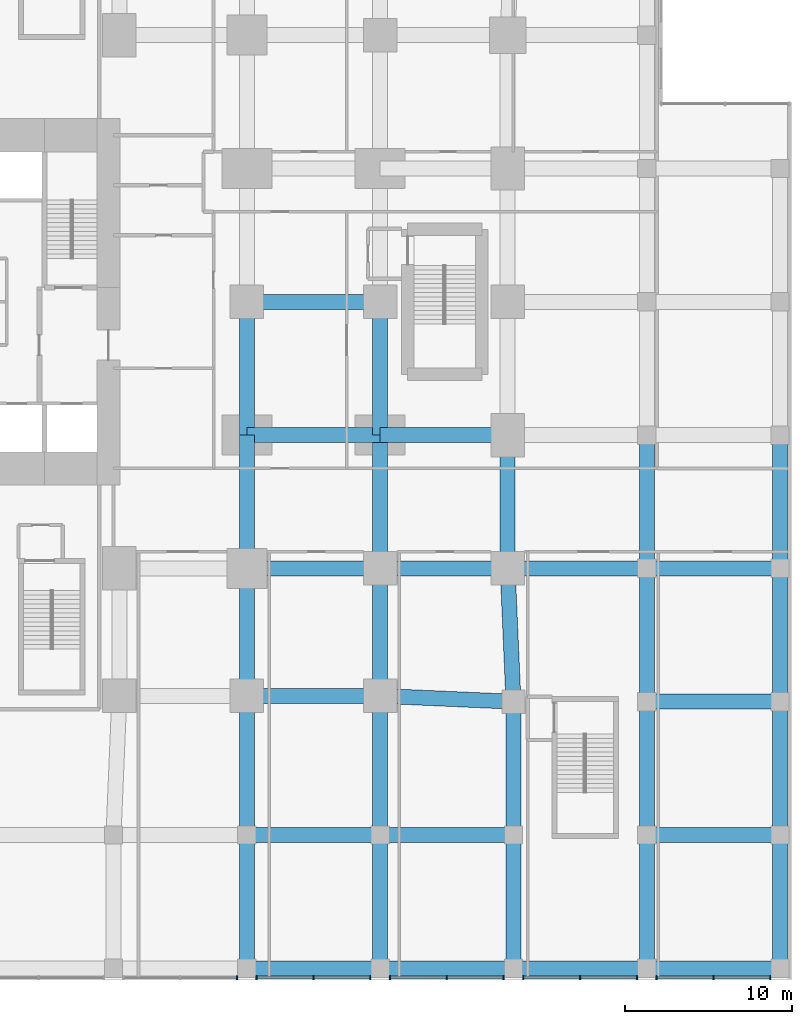
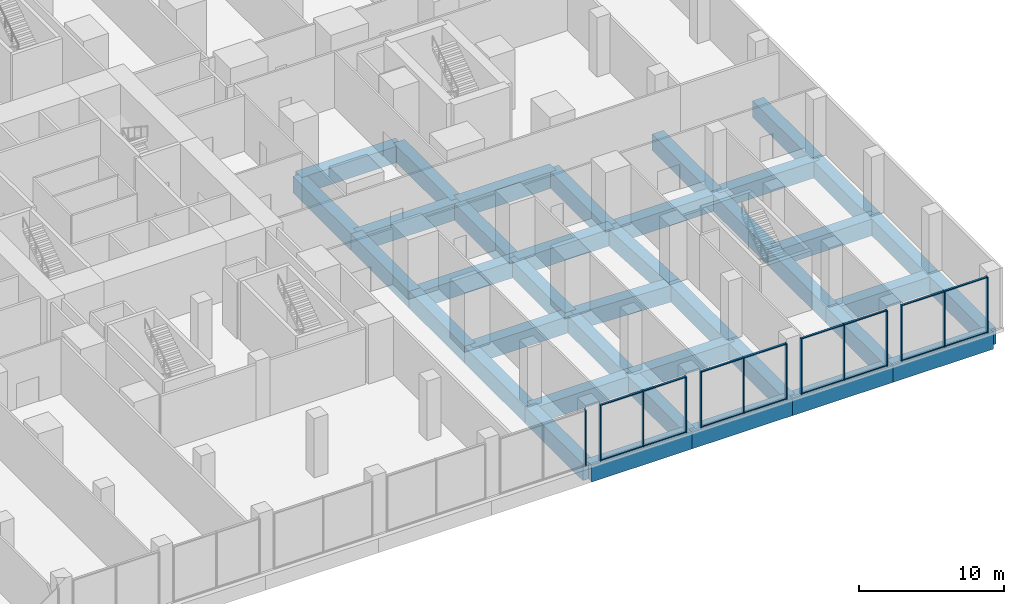
# One storey, part 5 of 22: 39 beams, 29 members, 5 elements without a shape of their own.
"""IFC4 building model written with IfcOpenShell, lengths in metres."""

from ifc_helpers import new_model, si_unit, direction, frame, origin, origin_2d, place, context, subcontext, project, spatial, rectangle, extrude, material, layer, layer_set, material_profile, profile_set, type_object, element, aggregate, save


model = new_model("IFC4")

# Units and contexts
model_context = context("Model", 3, precision=1e-05, world=origin(), true_north=direction((0.0, 1.0)))
body_context = subcontext(model_context, "Body", "Model", "MODEL_VIEW")
ifc_project = project(units=[si_unit("LENGTHUNIT", "METRE"), si_unit("AREAUNIT", "SQUARE_METRE"), si_unit("VOLUMEUNIT", "CUBIC_METRE"), si_unit("PLANEANGLEUNIT", "RADIAN"), si_unit("MASSUNIT", "GRAM", prefix="KILO")], contexts=[model_context])

# Site, building, storey
site_placement = place(None, origin())
site = spatial("IfcSite", under=ifc_project, at=site_placement, CompositionType="ELEMENT")
building_placement = place(site_placement, origin())
building = spatial("IfcBuilding", under=site, at=building_placement, Name="Cleftline Residences", CompositionType="ELEMENT")
storey_placement = place(building_placement, frame((0.0, 0.0, 6.0)))
storey = spatial("IfcBuildingStorey", under=building, at=storey_placement, Name="L01", CompositionType="ELEMENT", Elevation=6.0)

# Beams
ifc_material_1 = material(Name="Concrete B45", Category="concrete")
ifc_material_profile_1 = material_profile(ifc_material_1, rectangle(XDim=0.89990234375, YDim=1.39990234375, at=origin_2d()))
ifc_profile_set_1 = profile_set([ifc_material_profile_1], Name="Concrete B45")
beam_type = type_object("IfcBeamType", Name="BEAM RC900X1400", PredefinedType="BEAM", material=ifc_profile_set_1)
for number, where, z_axis, x_axis, name in (
    (1, (50.0, -16.0, -1.0), (1.0, 0.0, 0.0), (0.0, 1.0, 0.0), "Podium beam"),
    (2, (58.0, -16.0, -1.0), (1.0, 0.0, 0.0), (0.0, 1.0, 0.0), "Podium beam"),
    (3, (66.0, -16.0, -1.0), (1.0, 0.0, 0.0), (0.0, 1.0, 0.0), "Podium beam"),
    (4, (74.0, -16.0, -1.0), (1.0, 0.0, 0.0), (0.0, 1.0, 0.0), "Podium beam"),
    (5, (50.0, -8.0, -1.0), (1.0, 0.0, 0.0), (0.0, 1.0, 0.0), "Podium beam"),
    (6, (58.0, -8.0, -1.0), (1.0, 0.0, 0.0), (0.0, 1.0, 0.0), "Podium beam"),
    (7, (74.0, -8.0, -1.0), (1.0, 0.0, 0.0), (0.0, 1.0, 0.0), "Podium beam"),
    (8, (50.0, 0.35009765625, -1.0), (1.0, 0.0, 0.0), (0.0, 1.0, 0.0), "Podium beam"),
):
    element("IfcBeam", number, at=place(storey_placement, frame(where, z_axis=z_axis, x_axis=x_axis)), inside=storey, type_object=beam_type, Name=name, PredefinedType="BEAM", context=body_context, shape_type="SweptSolid", body=[
        extrude(rectangle(XDim=0.89990234375, YDim=1.39990234375, at=origin_2d()), origin(), (0.0, 0.0, 1.0), 8.0),
    ])
beam_1_placement = place(storey_placement, frame((58.0, 0.35009765625, -1.0), z_axis=(0.999043807824, -0.043720361951, 0.0), x_axis=(0.043720361951, 0.999043807824, 0.0)))
element("IfcBeam", 9, at=beam_1_placement, inside=storey, type_object=beam_type, Name="Podium beam", PredefinedType="BEAM", context=body_context, shape_type="SweptSolid", body=[
    extrude(rectangle(XDim=0.89990234375, YDim=1.39990234375, at=origin_2d()), origin(), (0.0, 0.0, 1.0), 8.007568359375),
])
for number, where, z_axis, x_axis, name in (
    (10, (74.0, 0.0, -1.0), (1.0, 0.0, 0.0), (0.0, 1.0, 0.0), "Podium beam"),
    (11, (50.0, 8.0, -1.0), (1.0, 0.0, 0.0), (0.0, 1.0, 0.0), "Podium beam"),
):
    element("IfcBeam", number, at=place(storey_placement, frame(where, z_axis=z_axis, x_axis=x_axis)), inside=storey, type_object=beam_type, Name=name, PredefinedType="BEAM", context=body_context, shape_type="SweptSolid", body=[
        extrude(rectangle(XDim=0.89990234375, YDim=1.39990234375, at=origin_2d()), origin(), (0.0, 0.0, 1.0), 8.0),
    ])
beam_2_placement = place(storey_placement, frame((58.0, 8.0, -1.0), z_axis=(1.0, 0.0, 0.0), x_axis=(0.0, 1.0, 0.0)))
element("IfcBeam", 12, at=beam_2_placement, inside=storey, type_object=beam_type, Name="Podium beam", PredefinedType="BEAM", context=body_context, shape_type="SweptSolid", body=[
    extrude(rectangle(XDim=0.89990234375, YDim=1.39990234375, at=origin_2d()), origin(), (0.0, 0.0, 1.0), 7.64990234375),
])
beam_3_placement = place(storey_placement, frame((65.64990234375, 8.0, -1.0), z_axis=(1.0, 0.0, 0.0), x_axis=(0.0, 1.0, 0.0)))
element("IfcBeam", 13, at=beam_3_placement, inside=storey, type_object=beam_type, Name="Podium beam", PredefinedType="BEAM", context=body_context, shape_type="SweptSolid", body=[
    extrude(rectangle(XDim=0.89990234375, YDim=1.39990234375, at=origin_2d()), origin(), (0.0, 0.0, 1.0), 8.35009765625),
])
for number, where, z_axis, x_axis, name in (
    (14, (74.0, 8.0, -1.0), (1.0, 0.0, 0.0), (0.0, 1.0, 0.0), "Podium beam"),
    (15, (50.0, 16.0, -1.0), (1.0, 0.0, 0.0), (0.0, 1.0, 0.0), "Podium beam"),
):
    element("IfcBeam", number, at=place(storey_placement, frame(where, z_axis=z_axis, x_axis=x_axis)), inside=storey, type_object=beam_type, Name=name, PredefinedType="BEAM", context=body_context, shape_type="SweptSolid", body=[
        extrude(rectangle(XDim=0.89990234375, YDim=1.39990234375, at=origin_2d()), origin(), (0.0, 0.0, 1.0), 8.0),
    ])
beam_4_placement = place(storey_placement, frame((58.0, 16.0, -1.0), z_axis=(1.0, 0.0, 0.0), x_axis=(0.0, 1.0, 0.0)))
element("IfcBeam", 16, at=beam_4_placement, inside=storey, type_object=beam_type, Name="Podium beam", PredefinedType="BEAM", context=body_context, shape_type="SweptSolid", body=[
    extrude(rectangle(XDim=0.89990234375, YDim=1.39990234375, at=origin_2d()), origin(), (0.0, 0.0, 1.0), 7.64990234375),
])
for number, where, z_axis, x_axis, name in (
    (17, (50.0, 24.0, -1.0), (1.0, 0.0, 0.0), (0.0, 1.0, 0.0), "Podium beam"),
    (18, (50.0, -16.0, -1.0), (0.0, 1.0, 0.0), (-1.0, 0.0, 0.0), "Podium beam"),
):
    element("IfcBeam", number, at=place(storey_placement, frame(where, z_axis=z_axis, x_axis=x_axis)), inside=storey, type_object=beam_type, Name=name, PredefinedType="BEAM", context=body_context, shape_type="SweptSolid", body=[
        extrude(rectangle(XDim=0.89990234375, YDim=1.39990234375, at=origin_2d()), origin(), (0.0, 0.0, 1.0), 8.0),
    ])
beam_5_placement = place(storey_placement, frame((50.0, -8.0, -1.0), z_axis=(0.0, 1.0, 0.0), x_axis=(-1.0, 0.0, 0.0)))
element("IfcBeam", 19, at=beam_5_placement, inside=storey, type_object=beam_type, Name="Podium beam", PredefinedType="BEAM", context=body_context, shape_type="SweptSolid", body=[
    extrude(rectangle(XDim=0.89990234375, YDim=1.39990234375, at=origin_2d()), origin(), (0.0, 0.0, 1.0), 8.35009765625),
])
beam_6_placement = place(storey_placement, frame((50.0, 0.35009765625, -1.0), z_axis=(0.0, 1.0, 0.0), x_axis=(-1.0, 0.0, 0.0)))
element("IfcBeam", 20, at=beam_6_placement, inside=storey, type_object=beam_type, Name="Podium beam", PredefinedType="BEAM", context=body_context, shape_type="SweptSolid", body=[
    extrude(rectangle(XDim=0.89990234375, YDim=1.39990234375, at=origin_2d()), origin(), (0.0, 0.0, 1.0), 7.64990234375),
])
for number, where, z_axis, x_axis, name in (
    (21, (50.0, 8.0, -1.0), (0.0, 1.0, 0.0), (-1.0, 0.0, 0.0), "Podium beam"),
    (22, (50.0, 16.0, -1.0), (0.0, 1.0, 0.0), (-1.0, 0.0, 0.0), "Podium beam"),
    (23, (58.0, -16.0, -1.0), (0.0, 1.0, 0.0), (-1.0, 0.0, 0.0), "Podium beam"),
):
    element("IfcBeam", number, at=place(storey_placement, frame(where, z_axis=z_axis, x_axis=x_axis)), inside=storey, type_object=beam_type, Name=name, PredefinedType="BEAM", context=body_context, shape_type="SweptSolid", body=[
        extrude(rectangle(XDim=0.89990234375, YDim=1.39990234375, at=origin_2d()), origin(), (0.0, 0.0, 1.0), 8.0),
    ])
beam_7_placement = place(storey_placement, frame((58.0, -8.0, -1.0), z_axis=(0.0, 1.0, 0.0), x_axis=(-1.0, 0.0, 0.0)))
element("IfcBeam", 24, at=beam_7_placement, inside=storey, type_object=beam_type, Name="Podium beam", PredefinedType="BEAM", context=body_context, shape_type="SweptSolid", body=[
    extrude(rectangle(XDim=0.89990234375, YDim=1.39990234375, at=origin_2d()), origin(), (0.0, 0.0, 1.0), 8.35009765625),
])
beam_8_placement = place(storey_placement, frame((58.0, 0.35009765625, -1.0), z_axis=(0.0, 1.0, 0.0), x_axis=(-1.0, 0.0, 0.0)))
element("IfcBeam", 25, at=beam_8_placement, inside=storey, type_object=beam_type, Name="Podium beam", PredefinedType="BEAM", context=body_context, shape_type="SweptSolid", body=[
    extrude(rectangle(XDim=0.89990234375, YDim=1.39990234375, at=origin_2d()), origin(), (0.0, 0.0, 1.0), 7.64990234375),
])
for number, where, z_axis, x_axis, name in (
    (26, (58.0, 8.0, -1.0), (0.0, 1.0, 0.0), (-1.0, 0.0, 0.0), "Podium beam"),
    (27, (58.0, 16.0, -1.0), (0.0, 1.0, 0.0), (-1.0, 0.0, 0.0), "Podium beam"),
    (28, (66.0, -16.0, -1.0), (0.0, 1.0, 0.0), (-1.0, 0.0, 0.0), "Podium beam"),
    (29, (66.0, -8.0, -1.0), (0.0, 1.0, 0.0), (-1.0, 0.0, 0.0), "Podium beam"),
):
    element("IfcBeam", number, at=place(storey_placement, frame(where, z_axis=z_axis, x_axis=x_axis)), inside=storey, type_object=beam_type, Name=name, PredefinedType="BEAM", context=body_context, shape_type="SweptSolid", body=[
        extrude(rectangle(XDim=0.89990234375, YDim=1.39990234375, at=origin_2d()), origin(), (0.0, 0.0, 1.0), 8.0),
    ])
beam_9_placement = place(storey_placement, frame((66.0, 0.0, -1.0), z_axis=(-0.043720361951, 0.999043807824, 0.0), x_axis=(-0.999043807824, -0.043720361951, 0.0)))
element("IfcBeam", 30, at=beam_9_placement, inside=storey, type_object=beam_type, Name="Podium beam", PredefinedType="BEAM", context=body_context, shape_type="SweptSolid", body=[
    extrude(rectangle(XDim=0.89990234375, YDim=1.39990234375, at=origin_2d()), origin(), (0.0, 0.0, 1.0), 8.007568359375),
])
for number, where, z_axis, x_axis, name in (
    (31, (65.64990234375, 8.0, -1.0), (0.0, 1.0, 0.0), (-1.0, 0.0, 0.0), "Podium beam"),
    (32, (74.0, -16.0, -1.0), (0.0, 1.0, 0.0), (-1.0, 0.0, 0.0), "Podium beam"),
    (33, (74.0, -8.0, -1.0), (0.0, 1.0, 0.0), (-1.0, 0.0, 0.0), "Podium beam"),
    (34, (74.0, 0.0, -1.0), (0.0, 1.0, 0.0), (-1.0, 0.0, 0.0), "Podium beam"),
    (35, (74.0, 8.0, -1.0), (0.0, 1.0, 0.0), (-1.0, 0.0, 0.0), "Podium beam"),
    (36, (82.0, -16.0, -1.0), (0.0, 1.0, 0.0), (-1.0, 0.0, 0.0), "Podium beam"),
    (37, (82.0, -8.0, -1.0), (0.0, 1.0, 0.0), (-1.0, 0.0, 0.0), "Podium beam"),
    (38, (82.0, 0.0, -1.0), (0.0, 1.0, 0.0), (-1.0, 0.0, 0.0), "Podium beam"),
    (39, (82.0, 8.0, -1.0), (0.0, 1.0, 0.0), (-1.0, 0.0, 0.0), "Podium beam"),
):
    element("IfcBeam", number, at=place(storey_placement, frame(where, z_axis=z_axis, x_axis=x_axis)), inside=storey, type_object=beam_type, Name=name, PredefinedType="BEAM", context=body_context, shape_type="SweptSolid", body=[
        extrude(rectangle(XDim=0.89990234375, YDim=1.39990234375, at=origin_2d()), origin(), (0.0, 0.0, 1.0), 8.0),
    ])

# Curtain wall, member
ifc_material_2 = material(Name="Aluminium framed curtain wall", Category="aluminium")
ifc_layer = layer(ifc_material_2, 0.199951171875)
ifc_layer_set = layer_set([ifc_layer], Name="CW2 PODIUM GLAZING")
curtain_wall_type = type_object("IfcCurtainWallType", Name="CW2 PODIUM GLAZING", PredefinedType="NOTDEFINED", material=ifc_layer_set)
curtain_wall_1_placement = place(storey_placement, origin())
curtain_wall_1 = element("IfcCurtainWall", 40, at=curtain_wall_1_placement, inside=storey, type_object=curtain_wall_type, Name="Curtain wall CW2", PredefinedType="NOTDEFINED")
ifc_material_3 = material(Name="Aluminium mullion", Category="aluminium")
ifc_material_profile_2 = material_profile(ifc_material_3, rectangle(XDim=0.25, YDim=0.080078125, at=origin_2d()))
ifc_profile_set_2 = profile_set([ifc_material_profile_2], Name="Aluminium mullion")
member_type_1 = type_object("IfcMemberType", Name="CW2 MULLION", PredefinedType="MULLION", material=ifc_profile_set_2)
member_1_placement = place(storey_placement, frame((49.409912109375, -16.574951171875, 0.0), z_axis=(0.0, 0.0, 1.0), x_axis=(0.0, 1.0, 0.0)))
member_1 = element("IfcMember", 41, at=member_1_placement, type_object=member_type_1, Name="CW2 mullion 3", PredefinedType="MULLION", context=body_context, shape_type="SweptSolid", body=[
    extrude(rectangle(XDim=0.25, YDim=0.080078125, at=origin_2d()), origin(), (0.0, 0.0, 1.0), 4.699951171875),
])
aggregate(curtain_wall_1, [member_1])

# Curtain wall, members
curtain_wall_2_placement = place(storey_placement, origin())
curtain_wall_2 = element("IfcCurtainWall", 42, at=curtain_wall_2_placement, inside=storey, type_object=curtain_wall_type, Name="Curtain wall CW2", PredefinedType="NOTDEFINED")
member_2_placement = place(storey_placement, frame((50.590087890625, -16.574951171875, 0.0), z_axis=(0.0, 0.0, 1.0), x_axis=(0.0, 1.0, 0.0)))
member_2 = element("IfcMember", 43, at=member_2_placement, type_object=member_type_1, Name="CW2 mullion 1", PredefinedType="MULLION", context=body_context, shape_type="SweptSolid", body=[
    extrude(rectangle(XDim=0.25, YDim=0.080078125, at=origin_2d()), origin(), (0.0, 0.0, 1.0), 4.699951171875),
])
member_3_placement = place(storey_placement, frame((54.0, -16.574951171875, 0.0), z_axis=(0.0, 0.0, 1.0), x_axis=(0.0, 1.0, 0.0)))
member_3 = element("IfcMember", 44, at=member_3_placement, type_object=member_type_1, Name="CW2 mullion 2", PredefinedType="MULLION", context=body_context, shape_type="SweptSolid", body=[
    extrude(rectangle(XDim=0.25, YDim=0.080078125, at=origin_2d()), origin(), (0.0, 0.0, 1.0), 4.699951171875),
])
member_4_placement = place(storey_placement, frame((57.409912109375, -16.574951171875, 0.0), z_axis=(0.0, 0.0, 1.0), x_axis=(0.0, 1.0, 0.0)))
member_4 = element("IfcMember", 45, at=member_4_placement, type_object=member_type_1, Name="CW2 mullion 3", PredefinedType="MULLION", context=body_context, shape_type="SweptSolid", body=[
    extrude(rectangle(XDim=0.25, YDim=0.080078125, at=origin_2d()), origin(), (0.0, 0.0, 1.0), 4.699951171875),
])

curtain_wall_3_placement = place(storey_placement, origin())
curtain_wall_3 = element("IfcCurtainWall", 46, at=curtain_wall_3_placement, inside=storey, type_object=curtain_wall_type, Name="Curtain wall CW2", PredefinedType="NOTDEFINED")
member_5_placement = place(storey_placement, frame((58.590087890625, -16.574951171875, 0.0), z_axis=(0.0, 0.0, 1.0), x_axis=(0.0, 1.0, 0.0)))
member_5 = element("IfcMember", 47, at=member_5_placement, type_object=member_type_1, Name="CW2 mullion 1", PredefinedType="MULLION", context=body_context, shape_type="SweptSolid", body=[
    extrude(rectangle(XDim=0.25, YDim=0.080078125, at=origin_2d()), origin(), (0.0, 0.0, 1.0), 4.699951171875),
])
member_6_placement = place(storey_placement, frame((62.0, -16.574951171875, 0.0), z_axis=(0.0, 0.0, 1.0), x_axis=(0.0, 1.0, 0.0)))
member_6 = element("IfcMember", 48, at=member_6_placement, type_object=member_type_1, Name="CW2 mullion 2", PredefinedType="MULLION", context=body_context, shape_type="SweptSolid", body=[
    extrude(rectangle(XDim=0.25, YDim=0.080078125, at=origin_2d()), origin(), (0.0, 0.0, 1.0), 4.699951171875),
])
member_7_placement = place(storey_placement, frame((65.409912109375, -16.574951171875, 0.0), z_axis=(0.0, 0.0, 1.0), x_axis=(0.0, 1.0, 0.0)))
member_7 = element("IfcMember", 49, at=member_7_placement, type_object=member_type_1, Name="CW2 mullion 3", PredefinedType="MULLION", context=body_context, shape_type="SweptSolid", body=[
    extrude(rectangle(XDim=0.25, YDim=0.080078125, at=origin_2d()), origin(), (0.0, 0.0, 1.0), 4.699951171875),
])

curtain_wall_4_placement = place(storey_placement, origin())
curtain_wall_4 = element("IfcCurtainWall", 50, at=curtain_wall_4_placement, inside=storey, type_object=curtain_wall_type, Name="Curtain wall CW2", PredefinedType="NOTDEFINED")
member_8_placement = place(storey_placement, frame((66.590087890625, -16.574951171875, 0.0), z_axis=(0.0, 0.0, 1.0), x_axis=(0.0, 1.0, 0.0)))
member_8 = element("IfcMember", 51, at=member_8_placement, type_object=member_type_1, Name="CW2 mullion 1", PredefinedType="MULLION", context=body_context, shape_type="SweptSolid", body=[
    extrude(rectangle(XDim=0.25, YDim=0.080078125, at=origin_2d()), origin(), (0.0, 0.0, 1.0), 4.699951171875),
])
member_9_placement = place(storey_placement, frame((70.0, -16.574951171875, 0.0), z_axis=(0.0, 0.0, 1.0), x_axis=(0.0, 1.0, 0.0)))
member_9 = element("IfcMember", 52, at=member_9_placement, type_object=member_type_1, Name="CW2 mullion 2", PredefinedType="MULLION", context=body_context, shape_type="SweptSolid", body=[
    extrude(rectangle(XDim=0.25, YDim=0.080078125, at=origin_2d()), origin(), (0.0, 0.0, 1.0), 4.699951171875),
])
member_10_placement = place(storey_placement, frame((73.409912109375, -16.574951171875, 0.0), z_axis=(0.0, 0.0, 1.0), x_axis=(0.0, 1.0, 0.0)))
member_10 = element("IfcMember", 53, at=member_10_placement, type_object=member_type_1, Name="CW2 mullion 3", PredefinedType="MULLION", context=body_context, shape_type="SweptSolid", body=[
    extrude(rectangle(XDim=0.25, YDim=0.080078125, at=origin_2d()), origin(), (0.0, 0.0, 1.0), 4.699951171875),
])

curtain_wall_5_placement = place(storey_placement, origin())
curtain_wall_5 = element("IfcCurtainWall", 54, at=curtain_wall_5_placement, inside=storey, type_object=curtain_wall_type, Name="Curtain wall CW2", PredefinedType="NOTDEFINED")
member_11_placement = place(storey_placement, frame((74.590087890625, -16.574951171875, 0.0), z_axis=(0.0, 0.0, 1.0), x_axis=(0.0, 1.0, 0.0)))
member_11 = element("IfcMember", 55, at=member_11_placement, type_object=member_type_1, Name="CW2 mullion 1", PredefinedType="MULLION", context=body_context, shape_type="SweptSolid", body=[
    extrude(rectangle(XDim=0.25, YDim=0.080078125, at=origin_2d()), origin(), (0.0, 0.0, 1.0), 4.699951171875),
])
member_12_placement = place(storey_placement, frame((78.0, -16.574951171875, 0.0), z_axis=(0.0, 0.0, 1.0), x_axis=(0.0, 1.0, 0.0)))
member_12 = element("IfcMember", 56, at=member_12_placement, type_object=member_type_1, Name="CW2 mullion 2", PredefinedType="MULLION", context=body_context, shape_type="SweptSolid", body=[
    extrude(rectangle(XDim=0.25, YDim=0.080078125, at=origin_2d()), origin(), (0.0, 0.0, 1.0), 4.699951171875),
])
member_13_placement = place(storey_placement, frame((81.409912109375, -16.574951171875, 0.0), z_axis=(0.0, 0.0, 1.0), x_axis=(0.0, 1.0, 0.0)))
member_13 = element("IfcMember", 57, at=member_13_placement, type_object=member_type_1, Name="CW2 mullion 3", PredefinedType="MULLION", context=body_context, shape_type="SweptSolid", body=[
    extrude(rectangle(XDim=0.25, YDim=0.080078125, at=origin_2d()), origin(), (0.0, 0.0, 1.0), 4.699951171875),
])

# Member
ifc_material_4 = material(Name="Aluminium transom", Category="aluminium")
ifc_material_profile_3 = material_profile(ifc_material_4, rectangle(XDim=0.14990234375, YDim=0.080078125, at=origin_2d()))
ifc_profile_set_3 = profile_set([ifc_material_profile_3], Name="Aluminium transom")
member_type_2 = type_object("IfcMemberType", Name="CW2 TRANSOM", PredefinedType="USERDEFINED", material=ifc_profile_set_3)
member_14_placement = place(storey_placement, frame((50.6298828125, -16.574951171875, 0.0400390625), z_axis=(1.0, 0.0, 0.0), x_axis=(0.0, 1.0, 0.0)))
member_14 = element("IfcMember", 58, at=member_14_placement, type_object=member_type_2, Name="CW2 transom 1.1", ObjectType="TRANSOM", PredefinedType="USERDEFINED", context=body_context, shape_type="SweptSolid", body=[
    extrude(rectangle(XDim=0.14990234375, YDim=0.080078125, at=origin_2d()), origin(), (0.0, 0.0, 1.0), 3.330078125),
])

member_15_placement = place(storey_placement, frame((50.6298828125, -16.574951171875, 4.659912109375), z_axis=(1.0, 0.0, 0.0), x_axis=(0.0, 1.0, 0.0)))
member_15 = element("IfcMember", 59, at=member_15_placement, type_object=member_type_2, Name="CW2 transom 1.2", ObjectType="TRANSOM", PredefinedType="USERDEFINED", context=body_context, shape_type="SweptSolid", body=[
    extrude(rectangle(XDim=0.14990234375, YDim=0.080078125, at=origin_2d()), origin(), (0.0, 0.0, 1.0), 3.330078125),
])

member_16_placement = place(storey_placement, frame((54.0400390625, -16.574951171875, 0.0400390625), z_axis=(1.0, 0.0, 0.0), x_axis=(0.0, 1.0, 0.0)))
member_16 = element("IfcMember", 60, at=member_16_placement, type_object=member_type_2, Name="CW2 transom 2.1", ObjectType="TRANSOM", PredefinedType="USERDEFINED", context=body_context, shape_type="SweptSolid", body=[
    extrude(rectangle(XDim=0.14990234375, YDim=0.080078125, at=origin_2d()), origin(), (0.0, 0.0, 1.0), 3.330078125),
])

member_17_placement = place(storey_placement, frame((54.0400390625, -16.574951171875, 4.659912109375), z_axis=(1.0, 0.0, 0.0), x_axis=(0.0, 1.0, 0.0)))
member_17 = element("IfcMember", 61, at=member_17_placement, type_object=member_type_2, Name="CW2 transom 2.2", ObjectType="TRANSOM", PredefinedType="USERDEFINED", context=body_context, shape_type="SweptSolid", body=[
    extrude(rectangle(XDim=0.14990234375, YDim=0.080078125, at=origin_2d()), origin(), (0.0, 0.0, 1.0), 3.330078125),
])

aggregate(curtain_wall_2, [member_2, member_3, member_4, member_14, member_15, member_16, member_17])

member_18_placement = place(storey_placement, frame((58.6298828125, -16.574951171875, 0.0400390625), z_axis=(1.0, 0.0, 0.0), x_axis=(0.0, 1.0, 0.0)))
member_18 = element("IfcMember", 62, at=member_18_placement, type_object=member_type_2, Name="CW2 transom 1.1", ObjectType="TRANSOM", PredefinedType="USERDEFINED", context=body_context, shape_type="SweptSolid", body=[
    extrude(rectangle(XDim=0.14990234375, YDim=0.080078125, at=origin_2d()), origin(), (0.0, 0.0, 1.0), 3.330078125),
])

member_19_placement = place(storey_placement, frame((58.6298828125, -16.574951171875, 4.659912109375), z_axis=(1.0, 0.0, 0.0), x_axis=(0.0, 1.0, 0.0)))
member_19 = element("IfcMember", 63, at=member_19_placement, type_object=member_type_2, Name="CW2 transom 1.2", ObjectType="TRANSOM", PredefinedType="USERDEFINED", context=body_context, shape_type="SweptSolid", body=[
    extrude(rectangle(XDim=0.14990234375, YDim=0.080078125, at=origin_2d()), origin(), (0.0, 0.0, 1.0), 3.330078125),
])

member_20_placement = place(storey_placement, frame((62.0400390625, -16.574951171875, 0.0400390625), z_axis=(1.0, 0.0, 0.0), x_axis=(0.0, 1.0, 0.0)))
member_20 = element("IfcMember", 64, at=member_20_placement, type_object=member_type_2, Name="CW2 transom 2.1", ObjectType="TRANSOM", PredefinedType="USERDEFINED", context=body_context, shape_type="SweptSolid", body=[
    extrude(rectangle(XDim=0.14990234375, YDim=0.080078125, at=origin_2d()), origin(), (0.0, 0.0, 1.0), 3.330078125),
])

member_21_placement = place(storey_placement, frame((62.0400390625, -16.574951171875, 4.659912109375), z_axis=(1.0, 0.0, 0.0), x_axis=(0.0, 1.0, 0.0)))
member_21 = element("IfcMember", 65, at=member_21_placement, type_object=member_type_2, Name="CW2 transom 2.2", ObjectType="TRANSOM", PredefinedType="USERDEFINED", context=body_context, shape_type="SweptSolid", body=[
    extrude(rectangle(XDim=0.14990234375, YDim=0.080078125, at=origin_2d()), origin(), (0.0, 0.0, 1.0), 3.330078125),
])

aggregate(curtain_wall_3, [member_5, member_6, member_7, member_18, member_19, member_20, member_21])

member_22_placement = place(storey_placement, frame((66.6298828125, -16.574951171875, 0.0400390625), z_axis=(1.0, 0.0, 0.0), x_axis=(0.0, 1.0, 0.0)))
member_22 = element("IfcMember", 66, at=member_22_placement, type_object=member_type_2, Name="CW2 transom 1.1", ObjectType="TRANSOM", PredefinedType="USERDEFINED", context=body_context, shape_type="SweptSolid", body=[
    extrude(rectangle(XDim=0.14990234375, YDim=0.080078125, at=origin_2d()), origin(), (0.0, 0.0, 1.0), 3.330078125),
])

member_23_placement = place(storey_placement, frame((66.6298828125, -16.574951171875, 4.659912109375), z_axis=(1.0, 0.0, 0.0), x_axis=(0.0, 1.0, 0.0)))
member_23 = element("IfcMember", 67, at=member_23_placement, type_object=member_type_2, Name="CW2 transom 1.2", ObjectType="TRANSOM", PredefinedType="USERDEFINED", context=body_context, shape_type="SweptSolid", body=[
    extrude(rectangle(XDim=0.14990234375, YDim=0.080078125, at=origin_2d()), origin(), (0.0, 0.0, 1.0), 3.330078125),
])

member_24_placement = place(storey_placement, frame((70.0400390625, -16.574951171875, 0.0400390625), z_axis=(1.0, 0.0, 0.0), x_axis=(0.0, 1.0, 0.0)))
member_24 = element("IfcMember", 68, at=member_24_placement, type_object=member_type_2, Name="CW2 transom 2.1", ObjectType="TRANSOM", PredefinedType="USERDEFINED", context=body_context, shape_type="SweptSolid", body=[
    extrude(rectangle(XDim=0.14990234375, YDim=0.080078125, at=origin_2d()), origin(), (0.0, 0.0, 1.0), 3.330078125),
])

member_25_placement = place(storey_placement, frame((70.0400390625, -16.574951171875, 4.659912109375), z_axis=(1.0, 0.0, 0.0), x_axis=(0.0, 1.0, 0.0)))
member_25 = element("IfcMember", 69, at=member_25_placement, type_object=member_type_2, Name="CW2 transom 2.2", ObjectType="TRANSOM", PredefinedType="USERDEFINED", context=body_context, shape_type="SweptSolid", body=[
    extrude(rectangle(XDim=0.14990234375, YDim=0.080078125, at=origin_2d()), origin(), (0.0, 0.0, 1.0), 3.330078125),
])

aggregate(curtain_wall_4, [member_8, member_9, member_10, member_22, member_23, member_24, member_25])

member_26_placement = place(storey_placement, frame((74.6298828125, -16.574951171875, 0.0400390625), z_axis=(1.0, 0.0, 0.0), x_axis=(0.0, 1.0, 0.0)))
member_26 = element("IfcMember", 70, at=member_26_placement, type_object=member_type_2, Name="CW2 transom 1.1", ObjectType="TRANSOM", PredefinedType="USERDEFINED", context=body_context, shape_type="SweptSolid", body=[
    extrude(rectangle(XDim=0.14990234375, YDim=0.080078125, at=origin_2d()), origin(), (0.0, 0.0, 1.0), 3.330078125),
])

member_27_placement = place(storey_placement, frame((74.6298828125, -16.574951171875, 4.659912109375), z_axis=(1.0, 0.0, 0.0), x_axis=(0.0, 1.0, 0.0)))
member_27 = element("IfcMember", 71, at=member_27_placement, type_object=member_type_2, Name="CW2 transom 1.2", ObjectType="TRANSOM", PredefinedType="USERDEFINED", context=body_context, shape_type="SweptSolid", body=[
    extrude(rectangle(XDim=0.14990234375, YDim=0.080078125, at=origin_2d()), origin(), (0.0, 0.0, 1.0), 3.330078125),
])

member_28_placement = place(storey_placement, frame((78.0400390625, -16.574951171875, 0.0400390625), z_axis=(1.0, 0.0, 0.0), x_axis=(0.0, 1.0, 0.0)))
member_28 = element("IfcMember", 72, at=member_28_placement, type_object=member_type_2, Name="CW2 transom 2.1", ObjectType="TRANSOM", PredefinedType="USERDEFINED", context=body_context, shape_type="SweptSolid", body=[
    extrude(rectangle(XDim=0.14990234375, YDim=0.080078125, at=origin_2d()), origin(), (0.0, 0.0, 1.0), 3.330078125),
])

member_29_placement = place(storey_placement, frame((78.0400390625, -16.574951171875, 4.659912109375), z_axis=(1.0, 0.0, 0.0), x_axis=(0.0, 1.0, 0.0)))
member_29 = element("IfcMember", 73, at=member_29_placement, type_object=member_type_2, Name="CW2 transom 2.2", ObjectType="TRANSOM", PredefinedType="USERDEFINED", context=body_context, shape_type="SweptSolid", body=[
    extrude(rectangle(XDim=0.14990234375, YDim=0.080078125, at=origin_2d()), origin(), (0.0, 0.0, 1.0), 3.330078125),
])

aggregate(curtain_wall_5, [member_11, member_12, member_13, member_26, member_27, member_28, member_29])

save(model, "model.ifc")
